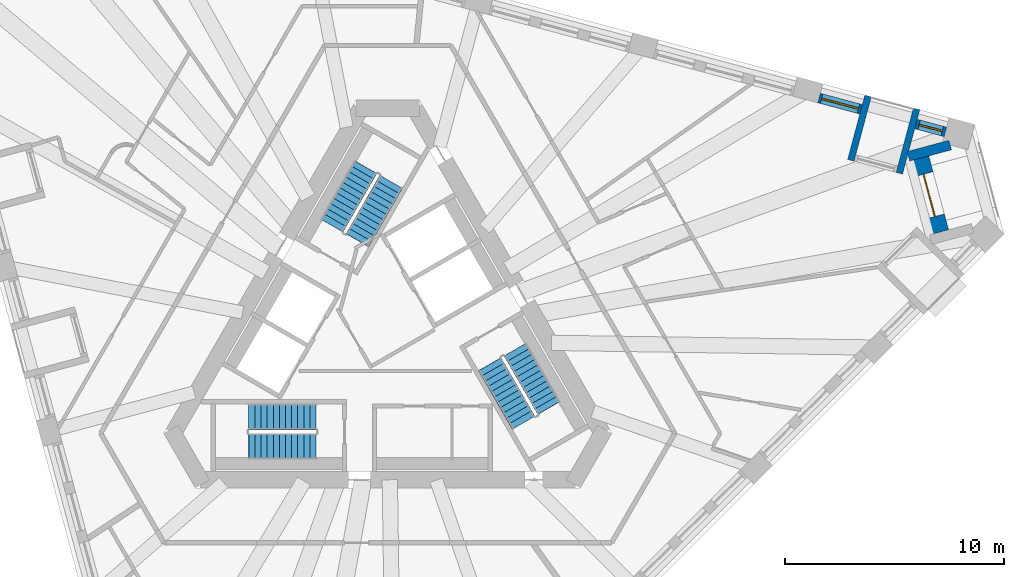
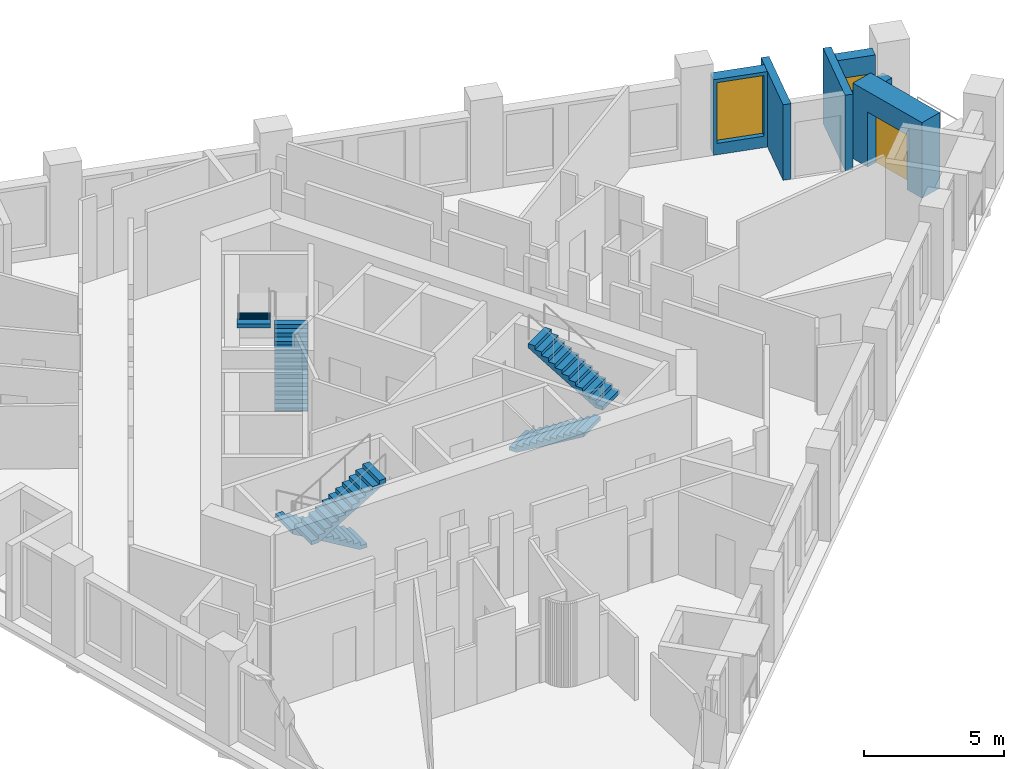
# One storey, part 9 of 13: 6 stair flights, 6 walls, 2 windows, 1 door, 3 openings, 3 elements without a shape of their own.
"""IFC4 building model written with IfcOpenShell, lengths in metres."""

from ifc_helpers import new_model, si_unit, direction, frame, frame_2d, origin, place, context, subcontext, project, spatial, polyline, rectangle, outline, extrude, material, layer, layer_set, type_object, element, fill, aggregate, save


model = new_model("IFC4")

# Units and contexts
model_context = context("Model", 3, precision=1e-05, world=origin(), true_north=direction((0.0, 1.0)))
body_context = subcontext(model_context, "Body", "Model", "MODEL_VIEW")
ifc_project = project(units=[si_unit("LENGTHUNIT", "METRE"), si_unit("AREAUNIT", "SQUARE_METRE"), si_unit("VOLUMEUNIT", "CUBIC_METRE"), si_unit("PLANEANGLEUNIT", "RADIAN"), si_unit("MASSUNIT", "GRAM", prefix="KILO")], contexts=[model_context])

# Site, building, storey
site_placement = place(None, origin())
site = spatial("IfcSite", under=ifc_project, at=site_placement, CompositionType="ELEMENT")
building_placement = place(site_placement, origin())
building = spatial("IfcBuilding", under=site, at=building_placement, Name="Tramontana Tower", CompositionType="ELEMENT")
storey_placement = place(building_placement, frame((0.0, 0.0, 212.0)))
storey = spatial("IfcBuildingStorey", under=building, at=storey_placement, Name="L49", CompositionType="ELEMENT", Elevation=212.0)

# Wall, opening, window
ifc_material_1 = material(Name="Precast concrete 60 MPa", Category="concrete")
ifc_layer_1 = layer(ifc_material_1, 0.449951171875)
ifc_layer_set_1 = layer_set([ifc_layer_1], Name="Precast concrete 60 MPa, 450 mm")
wall_type_1 = type_object("IfcWallType", Name="EW1 Stone-faced precast wall 450", PredefinedType="SOLIDWALL", material=ifc_layer_set_1)
wall_1_placement = place(storey_placement, frame((25.522705078125, 9.54443359375, 0.0), z_axis=(0.0, 0.0, 1.0), x_axis=(-0.965938699585, 0.258770996527, 0.0)))
wall_1 = element("IfcWall", 1, at=wall_1_placement, inside=storey, type_object=wall_type_1, Name="External wall L49 face 2 bay 1", PredefinedType="SOLIDWALL", context=body_context, shape_type="SweptSolid", body=[
    extrude(rectangle(XDim=1.398193359375, YDim=0.449951171875, at=frame_2d((0.69921875, 0.0))), origin(), (0.0, 0.0, 1.0), 3.300048828125),
])
opening_1_placement = place(wall_1_placement, frame((0.14892578125, 0.0, 0.5)))
opening_1 = element("IfcOpeningElement", 2, at=opening_1_placement, cuts=wall_1, Name="Opening N2L", PredefinedType="OPENING", context=body_context, shape_type="SweptSolid", body=[
    extrude(rectangle(XDim=1.10009765625, YDim=2.0, at=frame_2d((0.550048828125, 1.0))), frame((0.0, 0.23486328125, 0.0), z_axis=(0.0, -1.0, 0.0), x_axis=(1.0, 0.0, 0.0)), (0.0, 0.0, 1.0), 0.469970703125),
])
ifc_material_2 = material(Name="Aluminum frame, double glazing unit", Category="aluminium")
window_type_1 = type_object("IfcWindowType", Name="N2L Window 1.1 x 2", PartitioningType="SINGLE_PANEL", PredefinedType="WINDOW", material=ifc_material_2)
window_1_placement = place(opening_1_placement, origin())
window_1 = element("IfcWindow", 3, at=window_1_placement, inside=storey, type_object=window_type_1, Name="Window N2L L49 face 2 module 1", OverallHeight=2.0, OverallWidth=1.10009765625, PartitioningType="SINGLE_PANEL", PredefinedType="WINDOW", context=body_context, shape_type="SweptSolid", body=[
    extrude(rectangle(XDim=1.10009765625, YDim=2.0, at=frame_2d((0.550048828125, 1.0))), frame((0.0, 0.030029296875, 0.0), z_axis=(0.0, -1.0, 0.0), x_axis=(1.0, 0.0, 0.0)), (0.0, 0.0, 1.0), 0.06005859375),
])
fill(opening_1, window_1)

wall_2_placement = place(storey_placement, frame((21.66259765625, 10.578857421875, 0.0), z_axis=(0.0, 0.0, 1.0), x_axis=(-0.96593005298, 0.258803270362, 0.0)))
wall_2 = element("IfcWall", 4, at=wall_2_placement, inside=storey, type_object=wall_type_1, Name="External wall L49 face 2 bay 1", PredefinedType="SOLIDWALL", context=body_context, shape_type="SweptSolid", body=[
    extrude(rectangle(XDim=1.998046875, YDim=0.449951171875, at=frame_2d((0.9990234375, 0.0))), origin(), (0.0, 0.0, 1.0), 3.300048828125),
])
opening_2_placement = place(wall_2_placement, frame((0.1240234375, 0.0, 0.5)))
opening_2 = element("IfcOpeningElement", 5, at=opening_2_placement, cuts=wall_2, Name="Opening M2", PredefinedType="OPENING", context=body_context, shape_type="SweptSolid", body=[
    extrude(rectangle(XDim=1.75, YDim=2.64990234375, at=frame_2d((0.875, 1.324951171875))), frame((0.0, 0.23486328125, 0.0), z_axis=(0.0, -1.0, 0.0), x_axis=(1.0, 0.0, 0.0)), (0.0, 0.0, 1.0), 0.469970703125),
])
ifc_material_3 = material(Name="Aluminum frame, double glazing unit", Category="aluminium")
window_type_2 = type_object("IfcWindowType", Name="M2 Window 1.75 x 2.65", PartitioningType="SINGLE_PANEL", PredefinedType="WINDOW", material=ifc_material_3)
window_2_placement = place(opening_2_placement, origin())
window_2 = element("IfcWindow", 6, at=window_2_placement, inside=storey, type_object=window_type_2, Name="Window M2 L49 face 2 module 3", OverallHeight=2.64990234375, OverallWidth=1.75, PartitioningType="SINGLE_PANEL", PredefinedType="WINDOW", context=body_context, shape_type="SweptSolid", body=[
    extrude(rectangle(XDim=1.75, YDim=2.64990234375, at=frame_2d((0.875, 1.324951171875))), frame((0.0, 0.030029296875, 0.0), z_axis=(0.0, -1.0, 0.0), x_axis=(1.0, 0.0, 0.0)), (0.0, 0.0, 1.0), 0.06005859375),
])
fill(opening_2, window_2)

# Wall
wall_3_placement = place(storey_placement, frame((25.741943359375, 8.942138671875, 0.0), z_axis=(0.0, 0.0, 1.0), x_axis=(-0.965935388955, -0.258783354109, 0.0)))
element("IfcWall", 7, at=wall_3_placement, inside=storey, type_object=wall_type_1, Name="Corner loggia side wall L49 K52l", PredefinedType="SOLIDWALL", context=body_context, shape_type="SweptSolid", body=[
    extrude(rectangle(XDim=1.979248046875, YDim=0.449951171875, at=frame_2d((0.98974609375, 0.0))), origin(), (0.0, 0.0, 1.0), 2.550048828125),
])

# Wall, opening, door
ifc_material_4 = material(Name="Precast concrete 60 MPa", Category="concrete")
ifc_layer_2 = layer(ifc_material_4, 0.89990234375)
ifc_layer_set_2 = layer_set([ifc_layer_2], Name="EW2 Stone-faced corner loggia wall 900")
wall_type_2 = type_object("IfcWallType", Name="EW2 Stone-faced corner loggia wall 900", PredefinedType="SOLIDWALL", material=ifc_layer_set_2)
wall_4_placement = place(storey_placement, frame((24.322998046875, 8.3291015625, 0.0), z_axis=(0.0, 0.0, 1.0), x_axis=(0.258847652622, -0.965918160473, 0.0)))
wall_4 = element("IfcWall", 8, at=wall_4_placement, inside=storey, type_object=wall_type_2, Name="Corner loggia wall L49 K52", PredefinedType="SOLIDWALL", context=body_context, shape_type="SweptSolid", body=[
    extrude(rectangle(XDim=3.500244140625, YDim=0.89990234375, at=frame_2d((1.75, 0.0))), origin(), (0.0, 0.0, 1.0), 3.300048828125),
])
opening_3_placement = place(wall_4_placement, frame((0.75, 0.0, 0.0)))
opening_3 = element("IfcOpeningElement", 9, at=opening_3_placement, cuts=wall_4, Name="Opening BD-52C", PredefinedType="OPENING", context=body_context, shape_type="SweptSolid", body=[
    extrude(rectangle(XDim=2.0, YDim=2.39990234375, at=frame_2d((1.0, 1.199951171875))), frame((0.0, 0.4599609375, 0.0), z_axis=(0.0, -1.0, 0.0), x_axis=(1.0, 0.0, 0.0)), (0.0, 0.0, 1.0), 0.919921875),
])
ifc_material_5 = material(Name="Aluminum frame, double glazing unit", Category="aluminium")
door_type = type_object("IfcDoorType", Name="BC1 Sliding door 2 x 2.4", OperationType="SLIDING_TO_LEFT", PredefinedType="DOOR", material=ifc_material_5)
door_placement = place(opening_3_placement, origin())
door = element("IfcDoor", 10, at=door_placement, inside=storey, type_object=door_type, Name="Corner loggia door L49 K52", OperationType="SLIDING_TO_LEFT", OverallHeight=2.39990234375, OverallWidth=2.0, PredefinedType="DOOR", context=body_context, shape_type="SweptSolid", body=[
    extrude(rectangle(XDim=2.0, YDim=2.39990234375, at=frame_2d((1.0, 1.199951171875))), frame((0.0, 0.02490234375, 0.0), z_axis=(0.0, -1.0, 0.0), x_axis=(1.0, 0.0, 0.0)), (0.0, 0.0, 1.0), 0.050048828125),
])
fill(opening_3, door)

# Walls
ifc_material_6 = material(Name="Precast concrete 60 MPa", Category="concrete")
ifc_layer_3 = layer(ifc_material_6, 0.300048828125)
ifc_layer_set_3 = layer_set([ifc_layer_3], Name="LW1 Stone-faced loggia wall 300")
wall_type_3 = type_object("IfcWallType", Name="LW1 Stone-faced loggia wall 300", PredefinedType="SOLIDWALL", material=ifc_layer_set_3)
for number, where, z_axis, x_axis, name in (
    (11, (24.201904296875, 10.59716796875, 0.0), (0.0, 0.0, 1.0), (-0.258793435045, -0.965932688119, 0.0), "Loggia return L49 G5S2.1a"),
    (12, (21.982177734375, 11.19189453125, 0.0), (0.0, 0.0, 1.0), (-0.258793435045, -0.965932688119, 0.0), "Loggia return L49 G5S2.1b"),
):
    element("IfcWall", number, at=place(storey_placement, frame(where, z_axis=z_axis, x_axis=x_axis)), inside=storey, type_object=wall_type_3, Name=name, PredefinedType="SOLIDWALL", context=body_context, shape_type="SweptSolid", body=[
        extrude(rectangle(XDim=3.050048828125, YDim=0.300048828125, at=frame_2d((1.52490234375, 0.0))), origin(), (0.0, 0.0, 1.0), 3.300048828125),
    ])

# Stair, stair flights
ifc_material_7 = material(Name="Concrete 40 MPa", Category="concrete")
stair_type = type_object("IfcStairType", Name="EXIT STAIR 24 RISERS", PredefinedType="HALF_TURN_STAIR", material=ifc_material_7)
stair_1_placement = place(storey_placement, origin())
stair_1 = element("IfcStair", 13, at=stair_1_placement, inside=storey, type_object=stair_type, Name="L49 Exit stair ST1", PredefinedType="HALF_TURN_STAIR")
ifc_material_8 = material(Name="Concrete 40 MPa", Category="concrete")
ifc_layer_4 = layer(ifc_material_8, 0.14990234375)
ifc_layer_set_4 = layer_set([ifc_layer_4], Name="EXIT STAIR FLIGHT")
stair_flight_type = type_object("IfcStairFlightType", Name="EXIT STAIR FLIGHT", PredefinedType="STRAIGHT", material=ifc_layer_set_4)
stair_flight_1_placement = place(storey_placement, frame((-1.39111328125, 4.590576171875, 0.0), z_axis=(0.0, 0.0, 1.0), x_axis=(0.5, 0.866025403784, 0.0)))
stair_flight_1 = element("IfcStairFlight", 14, at=stair_flight_1_placement, type_object=stair_flight_type, Name="ST1 flight 1", NumberOfRisers=12, NumberOfTreads=11, PredefinedType="STRAIGHT", RiserHeight=0.166666667, TreadLength=0.28, context=body_context, shape_type="SweptSolid", body=[
    extrude(outline(polyline([(-0.006103515625, 0.0), (-0.006103515625, 0.0400390625), (0.0, 0.0400390625), (0.0, 0.166748046875), (0.280029296875, 0.166748046875), (0.280029296875, 0.333251953125), (0.56005859375, 0.333251953125), (0.56005859375, 0.5), (0.840087890625, 0.5), (0.840087890625, 0.666748046875), (1.1201171875, 0.666748046875), (1.1201171875, 0.833251953125), (1.39990234375, 0.833251953125), (1.39990234375, 1.0), (1.679931640625, 1.0), (1.679931640625, 1.166748046875), (1.9599609375, 1.166748046875), (1.9599609375, 1.333251953125), (2.239990234375, 1.333251953125), (2.239990234375, 1.5), (2.52001953125, 1.5), (2.52001953125, 1.666748046875), (2.800048828125, 1.666748046875), (2.800048828125, 1.833251953125), (3.080078125, 1.833251953125), (3.0859375, 1.833251953125), (3.0859375, 1.658935546875), (0.299072265625, 0.0), (-0.006103515625, 0.0)])), frame((0.0, 0.60009765625, 0.0), z_axis=(0.0, -1.0, 0.0), x_axis=(1.0, 0.0, 0.0)), (0.0, 0.0, 1.0), 1.199951171875),
])
stair_flight_2_placement = place(storey_placement, frame((-1.020263671875, 7.932861328125, 2.0), z_axis=(0.0, 0.0, 1.0), x_axis=(-0.5, -0.866025403784, 0.0)))
stair_flight_2 = element("IfcStairFlight", 15, at=stair_flight_2_placement, type_object=stair_flight_type, Name="ST1 flight 2", NumberOfRisers=12, NumberOfTreads=11, PredefinedType="STRAIGHT", RiserHeight=0.166666667, TreadLength=0.28, context=body_context, shape_type="SweptSolid", body=[
    extrude(outline(polyline([(-0.006103515625, 0.0), (-0.006103515625, 0.0400390625), (0.0, 0.0400390625), (0.0, 0.166748046875), (0.280029296875, 0.166748046875), (0.280029296875, 0.333251953125), (0.56005859375, 0.333251953125), (0.56005859375, 0.5), (0.840087890625, 0.5), (0.840087890625, 0.666748046875), (1.1201171875, 0.666748046875), (1.1201171875, 0.833251953125), (1.39990234375, 0.833251953125), (1.39990234375, 1.0), (1.679931640625, 1.0), (1.679931640625, 1.166748046875), (1.9599609375, 1.166748046875), (1.9599609375, 1.333251953125), (2.239990234375, 1.333251953125), (2.239990234375, 1.5), (2.52001953125, 1.5), (2.52001953125, 1.666748046875), (2.800048828125, 1.666748046875), (2.800048828125, 1.833251953125), (3.080078125, 1.833251953125), (3.0859375, 1.833251953125), (3.0859375, 1.658935546875), (0.299072265625, 0.0), (-0.006103515625, 0.0)])), frame((0.0, 0.60009765625, 0.0), z_axis=(0.0, -1.0, 0.0), x_axis=(1.0, 0.0, 0.0)), (0.0, 0.0, 1.0), 1.199951171875),
])
aggregate(stair_1, [stair_flight_1, stair_flight_2])

stair_2_placement = place(storey_placement, origin())
stair_2 = element("IfcStair", 16, at=stair_2_placement, inside=storey, type_object=stair_type, Name="L49 Exit stair ST2", PredefinedType="HALF_TURN_STAIR")
stair_flight_3_placement = place(storey_placement, frame((-3.280029296875, -3.5, 0.0), z_axis=(0.0, 0.0, 1.0), x_axis=(-1.0, 0.0, 0.0)))
stair_flight_3 = element("IfcStairFlight", 17, at=stair_flight_3_placement, type_object=stair_flight_type, Name="ST2 flight 1", NumberOfRisers=12, NumberOfTreads=11, PredefinedType="STRAIGHT", RiserHeight=0.166666667, TreadLength=0.28, context=body_context, shape_type="SweptSolid", body=[
    extrude(outline(polyline([(-0.006103515625, 0.0), (-0.006103515625, 0.0400390625), (0.0, 0.0400390625), (0.0, 0.166748046875), (0.280029296875, 0.166748046875), (0.280029296875, 0.333251953125), (0.56005859375, 0.333251953125), (0.56005859375, 0.5), (0.840087890625, 0.5), (0.840087890625, 0.666748046875), (1.1201171875, 0.666748046875), (1.1201171875, 0.833251953125), (1.39990234375, 0.833251953125), (1.39990234375, 1.0), (1.679931640625, 1.0), (1.679931640625, 1.166748046875), (1.9599609375, 1.166748046875), (1.9599609375, 1.333251953125), (2.239990234375, 1.333251953125), (2.239990234375, 1.5), (2.52001953125, 1.5), (2.52001953125, 1.666748046875), (2.800048828125, 1.666748046875), (2.800048828125, 1.833251953125), (3.080078125, 1.833251953125), (3.0859375, 1.833251953125), (3.0859375, 1.658935546875), (0.299072265625, 0.0), (-0.006103515625, 0.0)])), frame((0.0, 0.60009765625, 0.0), z_axis=(0.0, -1.0, 0.0), x_axis=(1.0, 0.0, 0.0)), (0.0, 0.0, 1.0), 1.199951171875),
])
stair_flight_4_placement = place(storey_placement, frame((-6.360107421875, -4.85009765625, 2.0), z_axis=(0.0, 0.0, 1.0), x_axis=(1.0, 0.0, 0.0)))
stair_flight_4 = element("IfcStairFlight", 18, at=stair_flight_4_placement, type_object=stair_flight_type, Name="ST2 flight 2", NumberOfRisers=12, NumberOfTreads=11, PredefinedType="STRAIGHT", RiserHeight=0.166666667, TreadLength=0.28, context=body_context, shape_type="SweptSolid", body=[
    extrude(outline(polyline([(-0.006103515625, 0.0), (-0.006103515625, 0.0400390625), (0.0, 0.0400390625), (0.0, 0.166748046875), (0.280029296875, 0.166748046875), (0.280029296875, 0.333251953125), (0.56005859375, 0.333251953125), (0.56005859375, 0.5), (0.840087890625, 0.5), (0.840087890625, 0.666748046875), (1.1201171875, 0.666748046875), (1.1201171875, 0.833251953125), (1.39990234375, 0.833251953125), (1.39990234375, 1.0), (1.679931640625, 1.0), (1.679931640625, 1.166748046875), (1.9599609375, 1.166748046875), (1.9599609375, 1.333251953125), (2.239990234375, 1.333251953125), (2.239990234375, 1.5), (2.52001953125, 1.5), (2.52001953125, 1.666748046875), (2.800048828125, 1.666748046875), (2.800048828125, 1.833251953125), (3.080078125, 1.833251953125), (3.0859375, 1.833251953125), (3.0859375, 1.658935546875), (0.299072265625, 0.0), (-0.006103515625, 0.0)])), frame((0.0, 0.60009765625, 0.0), z_axis=(0.0, -1.0, 0.0), x_axis=(1.0, 0.0, 0.0)), (0.0, 0.0, 1.0), 1.199951171875),
])
aggregate(stair_2, [stair_flight_3, stair_flight_4])

stair_3_placement = place(storey_placement, origin())
stair_3 = element("IfcStair", 19, at=stair_3_placement, inside=storey, type_object=stair_type, Name="L49 Exit stair ST3", PredefinedType="HALF_TURN_STAIR")
stair_flight_5_placement = place(storey_placement, frame((4.671142578125, -1.090576171875, 0.0), z_axis=(0.0, 0.0, 1.0), x_axis=(0.5, -0.866025403784, 0.0)))
stair_flight_5 = element("IfcStairFlight", 20, at=stair_flight_5_placement, type_object=stair_flight_type, Name="ST3 flight 1", NumberOfRisers=12, NumberOfTreads=11, PredefinedType="STRAIGHT", RiserHeight=0.166666667, TreadLength=0.28, context=body_context, shape_type="SweptSolid", body=[
    extrude(outline(polyline([(-0.006103515625, 0.0), (-0.006103515625, 0.0400390625), (0.0, 0.0400390625), (0.0, 0.166748046875), (0.280029296875, 0.166748046875), (0.280029296875, 0.333251953125), (0.56005859375, 0.333251953125), (0.56005859375, 0.5), (0.840087890625, 0.5), (0.840087890625, 0.666748046875), (1.1201171875, 0.666748046875), (1.1201171875, 0.833251953125), (1.39990234375, 0.833251953125), (1.39990234375, 1.0), (1.679931640625, 1.0), (1.679931640625, 1.166748046875), (1.9599609375, 1.166748046875), (1.9599609375, 1.333251953125), (2.239990234375, 1.333251953125), (2.239990234375, 1.5), (2.52001953125, 1.5), (2.52001953125, 1.666748046875), (2.800048828125, 1.666748046875), (2.800048828125, 1.833251953125), (3.080078125, 1.833251953125), (3.0859375, 1.833251953125), (3.0859375, 1.658935546875), (0.299072265625, 0.0), (-0.006103515625, 0.0)])), frame((0.0, 0.60009765625, 0.0), z_axis=(0.0, -1.0, 0.0), x_axis=(1.0, 0.0, 0.0)), (0.0, 0.0, 1.0), 1.199951171875),
])
stair_flight_6_placement = place(storey_placement, frame((7.380126953125, -3.0830078125, 2.0), z_axis=(0.0, 0.0, 1.0), x_axis=(-0.5, 0.866025403784, 0.0)))
stair_flight_6 = element("IfcStairFlight", 21, at=stair_flight_6_placement, type_object=stair_flight_type, Name="ST3 flight 2", NumberOfRisers=12, NumberOfTreads=11, PredefinedType="STRAIGHT", RiserHeight=0.166666667, TreadLength=0.28, context=body_context, shape_type="SweptSolid", body=[
    extrude(outline(polyline([(-0.006103515625, 0.0), (-0.006103515625, 0.0400390625), (0.0, 0.0400390625), (0.0, 0.166748046875), (0.280029296875, 0.166748046875), (0.280029296875, 0.333251953125), (0.56005859375, 0.333251953125), (0.56005859375, 0.5), (0.840087890625, 0.5), (0.840087890625, 0.666748046875), (1.1201171875, 0.666748046875), (1.1201171875, 0.833251953125), (1.39990234375, 0.833251953125), (1.39990234375, 1.0), (1.679931640625, 1.0), (1.679931640625, 1.166748046875), (1.9599609375, 1.166748046875), (1.9599609375, 1.333251953125), (2.239990234375, 1.333251953125), (2.239990234375, 1.5), (2.52001953125, 1.5), (2.52001953125, 1.666748046875), (2.800048828125, 1.666748046875), (2.800048828125, 1.833251953125), (3.080078125, 1.833251953125), (3.0859375, 1.833251953125), (3.0859375, 1.658935546875), (0.299072265625, 0.0), (-0.006103515625, 0.0)])), frame((0.0, 0.60009765625, 0.0), z_axis=(0.0, -1.0, 0.0), x_axis=(1.0, 0.0, 0.0)), (0.0, 0.0, 1.0), 1.199951171875),
])
aggregate(stair_3, [stair_flight_5, stair_flight_6])

save(model, "model.ifc")
